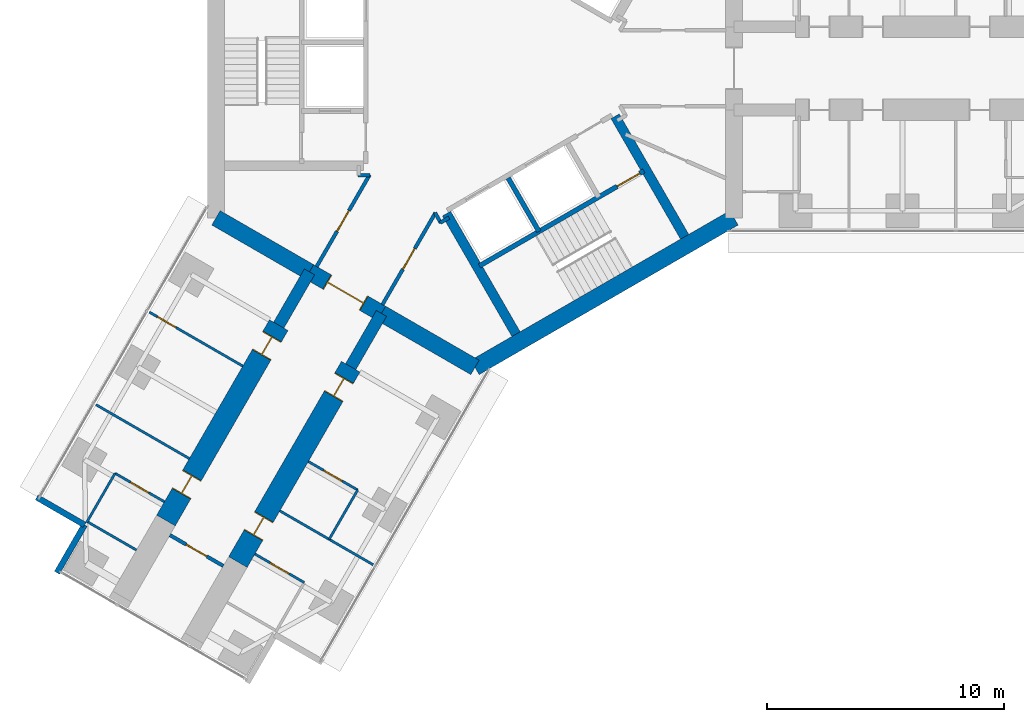
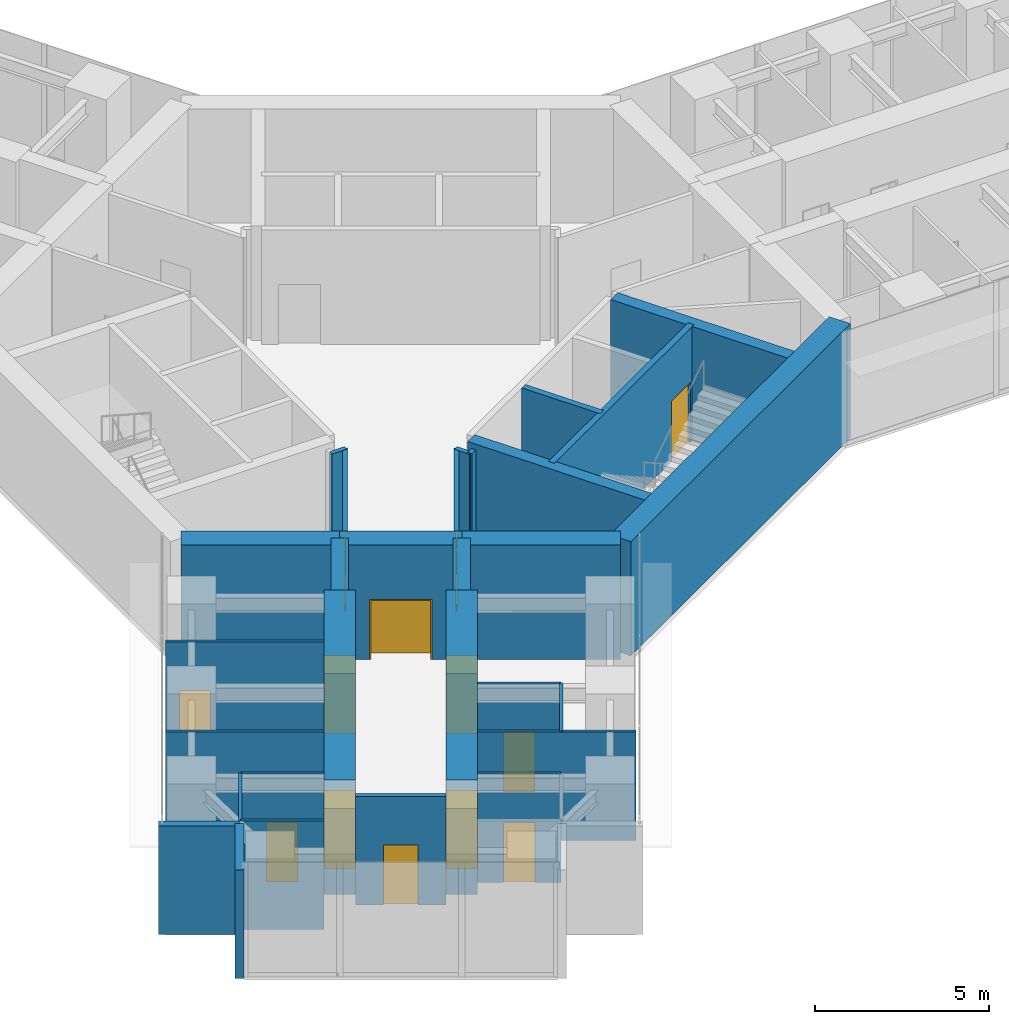
# One storey, part 16 of 25: 29 walls, 13 doors, 13 openings.
"""IFC4 building model written with IfcOpenShell, lengths in metres."""

from ifc_helpers import new_model, si_unit, direction, frame, frame_2d, origin, place, context, subcontext, project, spatial, rectangle, extrude, material, layer, layer_set, type_object, element, fill, save


model = new_model("IFC4")

# Units and contexts
model_context = context("Model", 3, precision=1e-05, world=origin(), true_north=direction((0.0, 1.0)))
body_context = subcontext(model_context, "Body", "Model", "MODEL_VIEW")
ifc_project = project(units=[si_unit("LENGTHUNIT", "METRE"), si_unit("AREAUNIT", "SQUARE_METRE"), si_unit("VOLUMEUNIT", "CUBIC_METRE"), si_unit("PLANEANGLEUNIT", "RADIAN"), si_unit("MASSUNIT", "GRAM", prefix="KILO")], contexts=[model_context])

# Site, building, storey
site_placement = place(None, origin())
site = spatial("IfcSite", under=ifc_project, at=site_placement, CompositionType="ELEMENT")
building_placement = place(site_placement, origin())
building = spatial("IfcBuilding", under=site, at=building_placement, Name="Upepo Twin Towers", CompositionType="ELEMENT")
storey_placement = place(building_placement, frame((0.0, 0.0, 72.5)))
storey = spatial("IfcBuildingStorey", under=building, at=storey_placement, Name="L17", CompositionType="ELEMENT", Elevation=72.5)

# Walls
ifc_material_1 = material(Name="Concrete C60/75", Category="concrete")
ifc_layer_1 = layer(ifc_material_1, 0.5)
ifc_layer_set_1 = layer_set([ifc_layer_1], Name="Concrete C60/75")
wall_type_1 = type_object("IfcWallType", Name="Buttress wall 500 RC", PredefinedType="SHEAR", material=ifc_layer_set_1)
for number, where, z_axis, x_axis, name in (
    (1, (-3.938720703125, -10.32177734375, 0.0), (0.0, 0.0, 1.0), (-0.499918158782, -0.866072649678, 0.0), "T1 wing C buttress wall L"),
    (2, (-6.9697265625, -8.57177734375, 0.0), (0.0, 0.0, 1.0), (-0.499988811324, -0.866031863473, 0.0), "T1 wing C buttress wall R"),
):
    element("IfcWall", number, at=place(storey_placement, frame(where, z_axis=z_axis, x_axis=x_axis)), inside=storey, type_object=wall_type_1, Name=name, PredefinedType="SHEAR", context=body_context, shape_type="SweptSolid", body=[
        extrude(rectangle(XDim=2.591796875, YDim=0.5, at=frame_2d((1.2958984375, 0.0))), origin(), (0.0, 0.0, 1.0), 4.0),
    ])

# Wall, openings, doors
ifc_material_2 = material(Name="Concrete C60/75", Category="concrete")
ifc_layer_2 = layer(ifc_material_2, 0.89990234375)
ifc_layer_set_2 = layer_set([ifc_layer_2], Name="Concrete C60/75")
wall_type_2 = type_object("IfcWallType", Name="Buttress wall 900 RC", PredefinedType="SHEAR", material=ifc_layer_set_2)
wall_1_placement = place(storey_placement, frame((-5.234375, -12.56640625, 0.0), z_axis=(0.0, 0.0, 1.0), x_axis=(-0.499997557548, -0.86602681393, 0.0)))
wall_1 = element("IfcWall", 3, at=wall_1_placement, inside=storey, type_object=wall_type_2, Name="T1 wing C buttress wall L part 2", PredefinedType="SHEAR", context=body_context, shape_type="SweptSolid", body=[
    extrude(rectangle(XDim=9.5, YDim=0.89990234375, at=frame_2d((4.75, 0.0))), origin(), (0.0, 0.0, 1.0), 4.0),
])
opening_1_placement = place(wall_1_placement, frame((0.550048828125, 0.0, 0.0)))
opening_1 = element("IfcOpeningElement", 4, at=opening_1_placement, cuts=wall_1, Name="Opening D14", PredefinedType="OPENING", context=body_context, shape_type="SweptSolid", body=[
    extrude(rectangle(XDim=0.89990234375, YDim=2.10009765625, at=frame_2d((0.449951171875, 1.050048828125))), frame((0.0, 0.4599609375, 0.0), z_axis=(0.0, -1.0, 0.0), x_axis=(1.0, 0.0, 0.0)), (0.0, 0.0, 1.0), 0.919921875),
])
opening_2_placement = place(wall_1_placement, frame((7.300048828125, 0.0, 0.0)))
opening_2 = element("IfcOpeningElement", 5, at=opening_2_placement, cuts=wall_1, Name="Opening D14", PredefinedType="OPENING", context=body_context, shape_type="SweptSolid", body=[
    extrude(rectangle(XDim=0.89990234375, YDim=2.10009765625, at=frame_2d((0.449951171875, 1.050048828125))), frame((0.0, 0.4599609375, 0.0), z_axis=(0.0, -1.0, 0.0), x_axis=(1.0, 0.0, 0.0)), (0.0, 0.0, 1.0), 0.919921875),
])
ifc_material_3 = material(Name="Timber doorset", Category="wood")
door_type_1 = type_object("IfcDoorType", Name="Office door 900 FD30", OperationType="SINGLE_SWING_LEFT", PredefinedType="DOOR", material=ifc_material_3)
door_1_placement = place(opening_1_placement, origin())
door_1 = element("IfcDoor", 6, at=door_1_placement, inside=storey, type_object=door_type_1, Name="T1 L17 open-plan staff office door", OperationType="SINGLE_SWING_LEFT", OverallHeight=2.10009765625, OverallWidth=0.89990234375, PredefinedType="DOOR", context=body_context, shape_type="SweptSolid", body=[
    extrude(rectangle(XDim=0.81990234375, YDim=2.06009765625, at=frame_2d((0.449951171875, 1.030029296875))), frame((0.0, 0.02490234375, 0.0), z_axis=(0.0, -1.0, 0.0), x_axis=(1.0, 0.0, 0.0)), (0.0, 0.0, 1.0), 0.050048828125),
    extrude(rectangle(XDim=0.04, YDim=2.10009765625, at=frame_2d((0.02001953125, 1.050048828125))), frame((0.0, 0.44970703125, 0.0), z_axis=(0.0, -1.0, 0.0), x_axis=(1.0, 0.0, 0.0)), (0.0, 0.0, 1.0), 0.8994140625),
    extrude(rectangle(XDim=0.04, YDim=2.10009765625, at=frame_2d((0.8798828125, 1.050048828125))), frame((0.0, 0.44970703125, 0.0), z_axis=(0.0, -1.0, 0.0), x_axis=(1.0, 0.0, 0.0)), (0.0, 0.0, 1.0), 0.8994140625),
    extrude(rectangle(XDim=0.81990234375, YDim=0.04, at=frame_2d((0.449951171875, 2.080078125))), frame((0.0, 0.44970703125, 0.0), z_axis=(0.0, -1.0, 0.0), x_axis=(1.0, 0.0, 0.0)), (0.0, 0.0, 1.0), 0.8994140625),
])
fill(opening_1, door_1)
door_2_placement = place(opening_2_placement, origin())
door_2 = element("IfcDoor", 7, at=door_2_placement, inside=storey, type_object=door_type_1, Name="T1 L17 meeting room door", OperationType="SINGLE_SWING_RIGHT", OverallHeight=2.10009765625, OverallWidth=0.89990234375, PredefinedType="DOOR", context=body_context, shape_type="SweptSolid", body=[
    extrude(rectangle(XDim=0.81990234375, YDim=2.06009765625, at=frame_2d((0.449951171875, 1.030029296875))), frame((0.0, 0.02490234375, 0.0), z_axis=(0.0, -1.0, 0.0), x_axis=(1.0, 0.0, 0.0)), (0.0, 0.0, 1.0), 0.050048828125),
    extrude(rectangle(XDim=0.04, YDim=2.10009765625, at=frame_2d((0.02001953125, 1.050048828125))), frame((0.0, 0.44970703125, 0.0), z_axis=(0.0, -1.0, 0.0), x_axis=(1.0, 0.0, 0.0)), (0.0, 0.0, 1.0), 0.8994140625),
    extrude(rectangle(XDim=0.04, YDim=2.10009765625, at=frame_2d((0.8798828125, 1.050048828125))), frame((0.0, 0.44970703125, 0.0), z_axis=(0.0, -1.0, 0.0), x_axis=(1.0, 0.0, 0.0)), (0.0, 0.0, 1.0), 0.8994140625),
    extrude(rectangle(XDim=0.81990234375, YDim=0.04, at=frame_2d((0.449951171875, 2.080078125))), frame((0.0, 0.44970703125, 0.0), z_axis=(0.0, -1.0, 0.0), x_axis=(1.0, 0.0, 0.0)), (0.0, 0.0, 1.0), 0.8994140625),
])
fill(opening_2, door_2)

wall_2_placement = place(storey_placement, frame((-8.265625, -10.81640625, 0.0), z_axis=(0.0, 0.0, 1.0), x_axis=(-0.499997557548, -0.86602681393, 0.0)))
wall_2 = element("IfcWall", 8, at=wall_2_placement, inside=storey, type_object=wall_type_2, Name="T1 wing C buttress wall R part 2", PredefinedType="SHEAR", context=body_context, shape_type="SweptSolid", body=[
    extrude(rectangle(XDim=9.5, YDim=0.89990234375, at=frame_2d((4.75, 0.0))), origin(), (0.0, 0.0, 1.0), 4.0),
])
opening_3_placement = place(wall_2_placement, frame((0.550048828125, 0.0, 0.0)))
opening_3 = element("IfcOpeningElement", 9, at=opening_3_placement, cuts=wall_2, Name="Opening D14", PredefinedType="OPENING", context=body_context, shape_type="SweptSolid", body=[
    extrude(rectangle(XDim=0.89990234375, YDim=2.10009765625, at=frame_2d((0.449951171875, 1.050048828125))), frame((0.0, 0.4599609375, 0.0), z_axis=(0.0, -1.0, 0.0), x_axis=(1.0, 0.0, 0.0)), (0.0, 0.0, 1.0), 0.919921875),
])
opening_4_placement = place(wall_2_placement, frame((7.300048828125, 0.0, 0.0)))
opening_4 = element("IfcOpeningElement", 10, at=opening_4_placement, cuts=wall_2, Name="Opening D14", PredefinedType="OPENING", context=body_context, shape_type="SweptSolid", body=[
    extrude(rectangle(XDim=0.89990234375, YDim=2.10009765625, at=frame_2d((0.449951171875, 1.050048828125))), frame((0.0, 0.4599609375, 0.0), z_axis=(0.0, -1.0, 0.0), x_axis=(1.0, 0.0, 0.0)), (0.0, 0.0, 1.0), 0.919921875),
])
door_3_placement = place(opening_3_placement, origin())
door_3 = element("IfcDoor", 11, at=door_3_placement, inside=storey, type_object=door_type_1, Name="T1 L17 staff office door", OperationType="SINGLE_SWING_LEFT", OverallHeight=2.10009765625, OverallWidth=0.89990234375, PredefinedType="DOOR", context=body_context, shape_type="SweptSolid", body=[
    extrude(rectangle(XDim=0.81990234375, YDim=2.06009765625, at=frame_2d((0.449951171875, 1.030029296875))), frame((0.0, 0.02490234375, 0.0), z_axis=(0.0, -1.0, 0.0), x_axis=(1.0, 0.0, 0.0)), (0.0, 0.0, 1.0), 0.050048828125),
    extrude(rectangle(XDim=0.04, YDim=2.10009765625, at=frame_2d((0.02001953125, 1.050048828125))), frame((0.0, 0.44970703125, 0.0), z_axis=(0.0, -1.0, 0.0), x_axis=(1.0, 0.0, 0.0)), (0.0, 0.0, 1.0), 0.8994140625),
    extrude(rectangle(XDim=0.04, YDim=2.10009765625, at=frame_2d((0.8798828125, 1.050048828125))), frame((0.0, 0.44970703125, 0.0), z_axis=(0.0, -1.0, 0.0), x_axis=(1.0, 0.0, 0.0)), (0.0, 0.0, 1.0), 0.8994140625),
    extrude(rectangle(XDim=0.81990234375, YDim=0.04, at=frame_2d((0.449951171875, 2.080078125))), frame((0.0, 0.44970703125, 0.0), z_axis=(0.0, -1.0, 0.0), x_axis=(1.0, 0.0, 0.0)), (0.0, 0.0, 1.0), 0.8994140625),
])
fill(opening_3, door_3)
door_4_placement = place(opening_4_placement, origin())
door_4 = element("IfcDoor", 12, at=door_4_placement, inside=storey, type_object=door_type_1, Name="T1 L17 postgraduate office door", OperationType="SINGLE_SWING_RIGHT", OverallHeight=2.10009765625, OverallWidth=0.89990234375, PredefinedType="DOOR", context=body_context, shape_type="SweptSolid", body=[
    extrude(rectangle(XDim=0.81990234375, YDim=2.06009765625, at=frame_2d((0.449951171875, 1.030029296875))), frame((0.0, 0.02490234375, 0.0), z_axis=(0.0, -1.0, 0.0), x_axis=(1.0, 0.0, 0.0)), (0.0, 0.0, 1.0), 0.050048828125),
    extrude(rectangle(XDim=0.04, YDim=2.10009765625, at=frame_2d((0.02001953125, 1.050048828125))), frame((0.0, 0.44970703125, 0.0), z_axis=(0.0, -1.0, 0.0), x_axis=(1.0, 0.0, 0.0)), (0.0, 0.0, 1.0), 0.8994140625),
    extrude(rectangle(XDim=0.04, YDim=2.10009765625, at=frame_2d((0.8798828125, 1.050048828125))), frame((0.0, 0.44970703125, 0.0), z_axis=(0.0, -1.0, 0.0), x_axis=(1.0, 0.0, 0.0)), (0.0, 0.0, 1.0), 0.8994140625),
    extrude(rectangle(XDim=0.81990234375, YDim=0.04, at=frame_2d((0.449951171875, 2.080078125))), frame((0.0, 0.44970703125, 0.0), z_axis=(0.0, -1.0, 0.0), x_axis=(1.0, 0.0, 0.0)), (0.0, 0.0, 1.0), 0.8994140625),
])
fill(opening_4, door_4)

# Wall
ifc_material_4 = material(Name="Concrete C60/75", Category="concrete")
ifc_layer_3 = layer(ifc_material_4, 0.699951171875)
ifc_layer_set_3 = layer_set([ifc_layer_3], Name="Concrete C60/75")
wall_type_3 = type_object("IfcWallType", Name="Core wall 700 RC", PredefinedType="SHEAR", material=ifc_layer_set_3)
wall_3_placement = place(storey_placement, frame((-10.908447265625, -6.2978515625, 0.0), z_axis=(0.0, 0.0, 1.0), x_axis=(0.866034513004, -0.499984222037, 0.0)))
element("IfcWall", 13, at=wall_3_placement, inside=storey, type_object=wall_type_3, Name="T1 core wall 240 R", PredefinedType="SHEAR", context=body_context, shape_type="SweptSolid", body=[
    extrude(rectangle(XDim=4.548095703125, YDim=0.699951171875, at=frame_2d((2.27392578125, 0.0))), origin(), (0.0, 0.0, 1.0), 4.0),
])

# Wall, opening, door
wall_4_placement = place(storey_placement, frame((-6.9697265625, -8.57177734375, 0.0), z_axis=(0.0, 0.0, 1.0), x_axis=(0.866019471182, -0.500010275428, 0.0)))
wall_4 = element("IfcWall", 14, at=wall_4_placement, inside=storey, type_object=wall_type_3, Name="T1 core wall 240", PredefinedType="SHEAR", context=body_context, shape_type="SweptSolid", body=[
    extrude(rectangle(XDim=3.5, YDim=0.699951171875, at=frame_2d((1.75, 0.0))), origin(), (0.0, 0.0, 1.0), 4.0),
])
opening_5_placement = place(wall_4_placement, frame((0.85009765625, 0.0, 0.0)))
opening_5 = element("IfcOpeningElement", 15, at=opening_5_placement, cuts=wall_4, Name="Opening D2", PredefinedType="OPENING", context=body_context, shape_type="SweptSolid", body=[
    extrude(rectangle(XDim=1.800048828125, YDim=2.10009765625, at=frame_2d((0.89990234375, 1.050048828125))), frame((0.0, 0.35986328125, 0.0), z_axis=(0.0, -1.0, 0.0), x_axis=(1.0, 0.0, 0.0)), (0.0, 0.0, 1.0), 0.719970703125),
])
ifc_material_5 = material(Name="Timber doorset", Category="wood")
door_type_2 = type_object("IfcDoorType", Name="Corridor double door 1800 FD60", OperationType="DOUBLE_DOOR_DOUBLE_SWING", PredefinedType="DOOR", material=ifc_material_5)
door_5_placement = place(opening_5_placement, origin())
door_5 = element("IfcDoor", 16, at=door_5_placement, inside=storey, type_object=door_type_2, Name="T1 L17 wing C corridor door", OperationType="DOUBLE_DOOR_DOUBLE_SWING", OverallHeight=2.10009765625, OverallWidth=1.800048828125, PredefinedType="DOOR", context=body_context, shape_type="SweptSolid", body=[
    extrude(rectangle(XDim=1.720048828125, YDim=2.06009765625, at=frame_2d((0.89990234375, 1.030029296875))), frame((0.0, 0.02490234375, 0.0), z_axis=(0.0, -1.0, 0.0), x_axis=(1.0, 0.0, 0.0)), (0.0, 0.0, 1.0), 0.050048828125),
    extrude(rectangle(XDim=0.04, YDim=2.10009765625, at=frame_2d((0.02001953125, 1.050048828125))), frame((0.0, 0.349609375, 0.0), z_axis=(0.0, -1.0, 0.0), x_axis=(1.0, 0.0, 0.0)), (0.0, 0.0, 1.0), 0.699462890625),
    extrude(rectangle(XDim=0.04, YDim=2.10009765625, at=frame_2d((1.780029296875, 1.050048828125))), frame((0.0, 0.349609375, 0.0), z_axis=(0.0, -1.0, 0.0), x_axis=(1.0, 0.0, 0.0)), (0.0, 0.0, 1.0), 0.699462890625),
    extrude(rectangle(XDim=1.720048828125, YDim=0.04, at=frame_2d((0.89990234375, 2.080078125))), frame((0.0, 0.349609375, 0.0), z_axis=(0.0, -1.0, 0.0), x_axis=(1.0, 0.0, 0.0)), (0.0, 0.0, 1.0), 0.699462890625),
])
fill(opening_5, door_5)

# Walls
wall_5_placement = place(storey_placement, frame((-3.938720703125, -10.32177734375, 0.0), z_axis=(0.0, 0.0, 1.0), x_axis=(0.866011268655, -0.500024481964, 0.0)))
element("IfcWall", 17, at=wall_5_placement, inside=storey, type_object=wall_type_3, Name="T1 core wall 240 L", PredefinedType="SHEAR", context=body_context, shape_type="SweptSolid", body=[
    extrude(rectangle(XDim=4.548095703125, YDim=0.699951171875, at=frame_2d((2.27392578125, 0.0))), origin(), (0.0, 0.0, 1.0), 4.0),
])
wall_6_placement = place(storey_placement, frame((0.0, -12.595947265625, 0.0), z_axis=(0.0, 0.0, 1.0), x_axis=(0.866021940709, 0.500005998175, 0.0)))
element("IfcWall", 18, at=wall_6_placement, inside=storey, type_object=wall_type_3, Name="T1 core wall 300", PredefinedType="SHEAR", context=body_context, shape_type="SweptSolid", body=[
    extrude(rectangle(XDim=12.595947265625, YDim=0.699951171875, at=frame_2d((6.2978515625, 0.0))), origin(), (0.0, 0.0, 1.0), 4.0),
])
ifc_material_6 = material(Name="Blockwork with anodised aluminium cladding", Category="masonry")
ifc_layer_4 = layer(ifc_material_6, 0.25)
ifc_layer_set_4 = layer_set([ifc_layer_4], Name="Notch cladding wall 250, pale metal")
wall_type_4 = type_object("IfcWallType", Name="Notch cladding wall 250, pale metal", PredefinedType="STANDARD", material=ifc_layer_set_4)
for number, where, z_axis, x_axis, name in (
    (19, (-18.456298828125, -18.0673828125, 0.0), (0.0, 0.0, 1.0), (0.865998469481, -0.500046648681, 0.0), "T1 L17 wing C notch wall R1"),
    (20, (-16.44287109375, -19.22998046875, 0.0), (0.0, 0.0, 1.0), (-0.500046648681, -0.865998469481, 0.0), "T1 L17 wing C notch wall R2"),
):
    element("IfcWall", number, at=place(storey_placement, frame(where, z_axis=z_axis, x_axis=x_axis)), inside=storey, type_object=wall_type_4, Name=name, PredefinedType="STANDARD", context=body_context, shape_type="SweptSolid", body=[
        extrude(rectangle(XDim=2.324951171875, YDim=0.25, at=frame_2d((1.16259765625, 0.0))), origin(), (0.0, 0.0, 1.0), 3.800048828125),
    ])
ifc_material_7 = material(Name="Gypsum board on steel studs", Category="steel")
ifc_layer_5 = layer(ifc_material_7, 0.10009765625)
ifc_layer_set_5 = layer_set([ifc_layer_5], Name="Office partition 100 stud")
wall_type_5 = type_object("IfcWallType", Name="Office partition 100 stud", PredefinedType="PARTITIONING", material=ifc_layer_set_5)
wall_7_placement = place(storey_placement, frame((-8.2197265625, -18.636962890625, 0.0), z_axis=(0.0, 0.0, 1.0), x_axis=(0.866012237902, -0.500022803284, 0.0)))
element("IfcWall", 21, at=wall_7_placement, inside=storey, type_object=wall_type_5, Name="T1 partition CL at 20.25", PredefinedType="PARTITIONING", context=body_context, shape_type="SweptSolid", body=[
    extrude(rectangle(XDim=4.550048828125, YDim=0.10009765625, at=frame_2d((2.27490234375, 0.0))), origin(), (0.0, 0.0, 1.0), 3.800048828125),
])
wall_8_placement = place(storey_placement, frame((-4.941162109375, -17.758544921875, 0.0), z_axis=(0.0, 0.0, 1.0), x_axis=(-0.500077600433, -0.865980596518, 0.0)))
element("IfcWall", 22, at=wall_8_placement, inside=storey, type_object=wall_type_5, Name="T1 inner room partition CL at 17.85", PredefinedType="PARTITIONING", context=body_context, shape_type="SweptSolid", body=[
    extrude(rectangle(XDim=2.39990234375, YDim=0.10009765625, at=frame_2d((1.199951171875, 0.0))), origin(), (0.0, 0.0, 1.0), 3.800048828125),
])

# Wall, opening, door
wall_9_placement = place(storey_placement, frame((-7.019775390625, -16.55859375, 0.0), z_axis=(0.0, 0.0, 1.0), x_axis=(0.866050077142, -0.499957262057, 0.0)))
wall_9 = element("IfcWall", 23, at=wall_9_placement, inside=storey, type_object=wall_type_5, Name="T1 inner room partition CL end at 17.85", PredefinedType="PARTITIONING", context=body_context, shape_type="SweptSolid", body=[
    extrude(rectangle(XDim=2.400146484375, YDim=0.10009765625, at=frame_2d((1.2001953125, 0.0))), origin(), (0.0, 0.0, 1.0), 3.800048828125),
])
opening_6_placement = place(wall_9_placement, frame((0.75, 0.0, 0.0)))
opening_6 = element("IfcOpeningElement", 24, at=opening_6_placement, cuts=wall_9, Name="Opening D14", PredefinedType="OPENING", context=body_context, shape_type="SweptSolid", body=[
    extrude(rectangle(XDim=0.89990234375, YDim=2.10009765625, at=frame_2d((0.449951171875, 1.050048828125))), frame((0.0, 0.06005859375, 0.0), z_axis=(0.0, -1.0, 0.0), x_axis=(1.0, 0.0, 0.0)), (0.0, 0.0, 1.0), 0.1201171875),
])
door_6_placement = place(opening_6_placement, origin())
door_6 = element("IfcDoor", 25, at=door_6_placement, inside=storey, type_object=door_type_1, Name="T1 L17 inner room door", OperationType="SINGLE_SWING_LEFT", OverallHeight=2.10009765625, OverallWidth=0.89990234375, PredefinedType="DOOR", context=body_context, shape_type="SweptSolid", body=[
    extrude(rectangle(XDim=0.89990234375, YDim=2.10009765625, at=frame_2d((0.449951171875, 1.050048828125))), frame((0.0, 0.02490234375, 0.0), z_axis=(0.0, -1.0, 0.0), x_axis=(1.0, 0.0, 0.0)), (0.0, 0.0, 1.0), 0.050048828125),
])
fill(opening_6, door_6)

wall_10_placement = place(storey_placement, frame((-9.269775390625, -20.45556640625, 0.0), z_axis=(0.0, 0.0, 1.0), x_axis=(0.866006032174, -0.500033551112, 0.0)))
wall_10 = element("IfcWall", 26, at=wall_10_placement, inside=storey, type_object=wall_type_5, Name="T1 inner room partition CL end at 22.35", PredefinedType="PARTITIONING", context=body_context, shape_type="SweptSolid", body=[
    extrude(rectangle(XDim=2.400146484375, YDim=0.10009765625, at=frame_2d((1.2001953125, 0.0))), origin(), (0.0, 0.0, 1.0), 3.800048828125),
])
opening_7_placement = place(wall_10_placement, frame((0.75, 0.0, 0.0)))
opening_7 = element("IfcOpeningElement", 27, at=opening_7_placement, cuts=wall_10, Name="Opening D14", PredefinedType="OPENING", context=body_context, shape_type="SweptSolid", body=[
    extrude(rectangle(XDim=0.89990234375, YDim=2.10009765625, at=frame_2d((0.449951171875, 1.050048828125))), frame((0.0, 0.06005859375, 0.0), z_axis=(0.0, -1.0, 0.0), x_axis=(1.0, 0.0, 0.0)), (0.0, 0.0, 1.0), 0.1201171875),
])
door_7_placement = place(opening_7_placement, origin())
door_7 = element("IfcDoor", 28, at=door_7_placement, inside=storey, type_object=door_type_1, Name="T1 L17 inner room door", OperationType="SINGLE_SWING_LEFT", OverallHeight=2.10009765625, OverallWidth=0.89990234375, PredefinedType="DOOR", context=body_context, shape_type="SweptSolid", body=[
    extrude(rectangle(XDim=0.89990234375, YDim=2.10009765625, at=frame_2d((0.449951171875, 1.050048828125))), frame((0.0, 0.02490234375, 0.0), z_axis=(0.0, -1.0, 0.0), x_axis=(1.0, 0.0, 0.0)), (0.0, 0.0, 1.0), 0.050048828125),
])
fill(opening_7, door_7)

wall_11_placement = place(storey_placement, frame((-9.7802734375, -12.539794921875, 0.0), z_axis=(0.0, 0.0, 1.0), x_axis=(-0.866035472144, 0.499982560684, 0.0)))
wall_11 = element("IfcWall", 29, at=wall_11_placement, inside=storey, type_object=wall_type_5, Name="T1 partition CR at 15.75", PredefinedType="PARTITIONING", context=body_context, shape_type="SweptSolid", body=[
    extrude(rectangle(XDim=4.550048828125, YDim=0.10009765625, at=frame_2d((2.27490234375, 0.0))), origin(), (0.0, 0.0, 1.0), 3.800048828125),
])
opening_8_placement = place(wall_11_placement, frame((3.25, 0.0, 0.0)))
opening_8 = element("IfcOpeningElement", 30, at=opening_8_placement, cuts=wall_11, Name="Opening D14", PredefinedType="OPENING", context=body_context, shape_type="SweptSolid", body=[
    extrude(rectangle(XDim=0.89990234375, YDim=2.10009765625, at=frame_2d((0.449951171875, 1.050048828125))), frame((0.0, 0.06005859375, 0.0), z_axis=(0.0, -1.0, 0.0), x_axis=(1.0, 0.0, 0.0)), (0.0, 0.0, 1.0), 0.1201171875),
])
door_8_placement = place(opening_8_placement, origin())
door_8 = element("IfcDoor", 31, at=door_8_placement, inside=storey, type_object=door_type_1, Name="T1 L17 connecting door", OperationType="SINGLE_SWING_RIGHT", OverallHeight=2.10009765625, OverallWidth=0.89990234375, PredefinedType="DOOR", context=body_context, shape_type="SweptSolid", body=[
    extrude(rectangle(XDim=0.89990234375, YDim=2.10009765625, at=frame_2d((0.449951171875, 1.050048828125))), frame((0.0, 0.02490234375, 0.0), z_axis=(0.0, -1.0, 0.0), x_axis=(1.0, 0.0, 0.0)), (0.0, 0.0, 1.0), 0.050048828125),
])
fill(opening_8, door_8)

# Walls
wall_12_placement = place(storey_placement, frame((-12.0302734375, -16.43701171875, 0.0), z_axis=(0.0, 0.0, 1.0), x_axis=(-0.866035472144, 0.499982560684, 0.0)))
element("IfcWall", 32, at=wall_12_placement, inside=storey, type_object=wall_type_5, Name="T1 partition CR at 20.25", PredefinedType="PARTITIONING", context=body_context, shape_type="SweptSolid", body=[
    extrude(rectangle(XDim=4.550048828125, YDim=0.10009765625, at=frame_2d((2.27490234375, 0.0))), origin(), (0.0, 0.0, 1.0), 3.800048828125),
])
wall_13_placement = place(storey_placement, frame((-15.15869140625, -17.0556640625, 0.0), z_axis=(0.0, 0.0, 1.0), x_axis=(-0.500001309137, -0.866024647952, 0.0)))
element("IfcWall", 33, at=wall_13_placement, inside=storey, type_object=wall_type_5, Name="T1 inner room partition CR at 22.35", PredefinedType="PARTITIONING", context=body_context, shape_type="SweptSolid", body=[
    extrude(rectangle(XDim=2.39990234375, YDim=0.10009765625, at=frame_2d((1.199951171875, 0.0))), origin(), (0.0, 0.0, 1.0), 3.800048828125),
])

# Wall, opening, door
wall_14_placement = place(storey_placement, frame((-13.080322265625, -18.255615234375, 0.0), z_axis=(0.0, 0.0, 1.0), x_axis=(-0.866024647952, 0.500001309137, 0.0)))
wall_14 = element("IfcWall", 34, at=wall_14_placement, inside=storey, type_object=wall_type_5, Name="T1 inner room partition CR end at 22.35", PredefinedType="PARTITIONING", context=body_context, shape_type="SweptSolid", body=[
    extrude(rectangle(XDim=2.39990234375, YDim=0.10009765625, at=frame_2d((1.199951171875, 0.0))), origin(), (0.0, 0.0, 1.0), 3.800048828125),
])
opening_9_placement = place(wall_14_placement, frame((0.75, 0.0, 0.0)))
opening_9 = element("IfcOpeningElement", 35, at=opening_9_placement, cuts=wall_14, Name="Opening D14", PredefinedType="OPENING", context=body_context, shape_type="SweptSolid", body=[
    extrude(rectangle(XDim=0.89990234375, YDim=2.10009765625, at=frame_2d((0.449951171875, 1.050048828125))), frame((0.0, 0.06005859375, 0.0), z_axis=(0.0, -1.0, 0.0), x_axis=(1.0, 0.0, 0.0)), (0.0, 0.0, 1.0), 0.1201171875),
])
door_9_placement = place(opening_9_placement, origin())
door_9 = element("IfcDoor", 36, at=door_9_placement, inside=storey, type_object=door_type_1, Name="T1 L17 inner room door", OperationType="SINGLE_SWING_LEFT", OverallHeight=2.10009765625, OverallWidth=0.89990234375, PredefinedType="DOOR", context=body_context, shape_type="SweptSolid", body=[
    extrude(rectangle(XDim=0.89990234375, YDim=2.10009765625, at=frame_2d((0.449951171875, 1.050048828125))), frame((0.0, 0.02490234375, 0.0), z_axis=(0.0, -1.0, 0.0), x_axis=(1.0, 0.0, 0.0)), (0.0, 0.0, 1.0), 0.050048828125),
])
fill(opening_9, door_9)

# Walls
wall_15_placement = place(storey_placement, frame((-14.25537109375, -20.290771484375, 0.0), z_axis=(0.0, 0.0, 1.0), x_axis=(-0.866024647952, 0.500001309137, 0.0)))
element("IfcWall", 37, at=wall_15_placement, inside=storey, type_object=wall_type_5, Name="T1 inner room partition CR end at 24.75", PredefinedType="PARTITIONING", context=body_context, shape_type="SweptSolid", body=[
    extrude(rectangle(XDim=2.39990234375, YDim=0.10009765625, at=frame_2d((1.199951171875, 0.0))), origin(), (0.0, 0.0, 1.0), 3.800048828125),
])
ifc_material_8 = material(Name="Concrete C40/50", Category="concrete")
ifc_layer_6 = layer(ifc_material_8, 0.199951171875)
ifc_layer_set_6 = layer_set([ifc_layer_6], Name="Concrete C40/50")
wall_type_6 = type_object("IfcWallType", Name="Shaft wall 200 RC", PredefinedType="SHEAR", material=ifc_layer_set_6)
wall_16_placement = place(storey_placement, frame((1.3974609375, -4.620361328125, 0.0), z_axis=(0.0, 0.0, 1.0), x_axis=(0.499936506574, -0.866062058628, 0.0)))
element("IfcWall", 38, at=wall_16_placement, inside=storey, type_object=wall_type_6, Name="T1 core W300 shaft divider", PredefinedType="SHEAR", context=body_context, shape_type="SweptSolid", body=[
    extrude(rectangle(XDim=2.599853515625, YDim=0.199951171875, at=frame_2d((1.2998046875, 0.0))), origin(), (0.0, 0.0, 1.0), 4.0),
])

# Wall, opening, door
wall_17_placement = place(storey_placement, frame((0.185791015625, -8.322021484375, 0.0), z_axis=(0.0, 0.0, 1.0), x_axis=(0.866026010844, 0.49999894854, 0.0)))
wall_17 = element("IfcWall", 39, at=wall_17_placement, inside=storey, type_object=wall_type_6, Name="T1 core W300 stair wall", PredefinedType="SHEAR", context=body_context, shape_type="SweptSolid", body=[
    extrude(rectangle(XDim=8.0, YDim=0.199951171875, at=frame_2d((4.0, 0.0))), origin(), (0.0, 0.0, 1.0), 4.0),
])
opening_10_placement = place(wall_17_placement, frame((6.699951171875, 0.0, 0.0)))
opening_10 = element("IfcOpeningElement", 40, at=opening_10_placement, cuts=wall_17, Name="Opening D3", PredefinedType="OPENING", context=body_context, shape_type="SweptSolid", body=[
    extrude(rectangle(XDim=1.10009765625, YDim=2.10009765625, at=frame_2d((0.550048828125, 1.050048828125))), frame((0.0, 0.10986328125, 0.0), z_axis=(0.0, -1.0, 0.0), x_axis=(1.0, 0.0, 0.0)), (0.0, 0.0, 1.0), 0.219970703125),
])
ifc_material_9 = material(Name="Timber doorset", Category="wood")
door_type_3 = type_object("IfcDoorType", Name="Stair door 1100 FD60", OperationType="SINGLE_SWING_LEFT", PredefinedType="DOOR", material=ifc_material_9)
door_10_placement = place(opening_10_placement, origin())
door_10 = element("IfcDoor", 41, at=door_10_placement, inside=storey, type_object=door_type_3, Name="T1 L17 stair door", OperationType="SINGLE_SWING_RIGHT", OverallHeight=2.10009765625, OverallWidth=1.10009765625, PredefinedType="DOOR", context=body_context, shape_type="SweptSolid", body=[
    extrude(rectangle(XDim=1.10009765625, YDim=2.10009765625, at=frame_2d((0.550048828125, 1.050048828125))), frame((0.0, 0.02490234375, 0.0), z_axis=(0.0, -1.0, 0.0), x_axis=(1.0, 0.0, 0.0)), (0.0, 0.0, 1.0), 0.050048828125),
])
fill(opening_10, door_10)

# Walls
ifc_material_10 = material(Name="Concrete C40/50", Category="concrete")
ifc_layer_7 = layer(ifc_material_10, 0.39990234375)
ifc_layer_set_7 = layer_set([ifc_layer_7], Name="Concrete C40/50")
wall_type_7 = type_object("IfcWallType", Name="Shaft wall 400 RC", PredefinedType="SHEAR", material=ifc_layer_set_7)
for number, where, z_axis, x_axis, name in (
    (42, (5.900634765625, -2.020263671875, 0.0), (0.0, 0.0, 1.0), (0.500002627198, -0.866023886965, 0.0), "T1 core W300 side wall N"),
    (43, (-1.20068359375, -6.120361328125, 0.0), (0.0, 0.0, 1.0), (0.500002627198, -0.866023886965, 0.0), "T1 core W300 side wall S"),
):
    element("IfcWall", number, at=place(storey_placement, frame(where, z_axis=z_axis, x_axis=x_axis)), inside=storey, type_object=wall_type_7, Name=name, PredefinedType="SHEAR", context=body_context, shape_type="SweptSolid", body=[
        extrude(rectangle(XDim=5.8583984375, YDim=0.39990234375, at=frame_2d((2.92919921875, 0.0))), origin(), (0.0, 0.0, 1.0), 4.0),
    ])
ifc_material_11 = material(Name="Gypsum board on steel studs", Category="steel")
ifc_layer_8 = layer(ifc_material_11, 0.14990234375)
ifc_layer_set_8 = layer_set([ifc_layer_8], Name="Teaching partition 150 acoustic")
wall_type_8 = type_object("IfcWallType", Name="Teaching partition 150 acoustic", PredefinedType="PARTITIONING", material=ifc_layer_set_8)
wall_18_placement = place(storey_placement, frame((-1.092041015625, -6.28857421875, 0.0), z_axis=(0.0, 0.0, 1.0), x_axis=(-0.866138304741, -0.499804398801, 0.0)))
element("IfcWall", 44, at=wall_18_placement, inside=storey, type_object=wall_type_8, Name="T1 core room partition 2", PredefinedType="PARTITIONING", context=body_context, shape_type="SweptSolid", body=[
    extrude(rectangle(XDim=0.429931640625, YDim=0.14990234375, at=frame_2d((0.21484375, 0.0))), origin(), (0.0, 0.0, 1.0), 3.800048828125),
])
wall_19_placement = place(storey_placement, frame((-1.43701171875, -6.5107421875, 0.0), z_axis=(0.0, 0.0, 1.0), x_axis=(-0.50033519877, 0.865831790172, 0.0)))
element("IfcWall", 45, at=wall_19_placement, inside=storey, type_object=wall_type_8, Name="T1 core room partition 3", PredefinedType="PARTITIONING", context=body_context, shape_type="SweptSolid", body=[
    extrude(rectangle(XDim=0.494384765625, YDim=0.14990234375, at=frame_2d((0.2470703125, 0.0))), origin(), (0.0, 0.0, 1.0), 3.800048828125),
])

# Wall, opening, door
wall_20_placement = place(storey_placement, frame((-1.664306640625, -6.082763671875, 0.0), z_axis=(0.0, 0.0, 1.0), x_axis=(-0.499999927604, -0.866025445582, 0.0)))
wall_20 = element("IfcWall", 46, at=wall_20_placement, inside=storey, type_object=wall_type_8, Name="T1 core room partition 4", PredefinedType="PARTITIONING", context=body_context, shape_type="SweptSolid", body=[
    extrude(rectangle(XDim=4.46826171875, YDim=0.14990234375, at=frame_2d((2.234130859375, 0.0))), origin(), (0.0, 0.0, 1.0), 3.800048828125),
])
opening_11_placement = place(wall_20_placement, frame((1.744384765625, 0.0, 0.0)))
opening_11 = element("IfcOpeningElement", 47, at=opening_11_placement, cuts=wall_20, Name="Opening D1", PredefinedType="OPENING", context=body_context, shape_type="SweptSolid", body=[
    extrude(rectangle(XDim=1.0, YDim=2.10009765625, at=frame_2d((0.5, 1.050048828125))), frame((0.0, 0.0849609375, 0.0), z_axis=(0.0, -1.0, 0.0), x_axis=(1.0, 0.0, 0.0)), (0.0, 0.0, 1.0), 0.169921875),
])
ifc_material_12 = material(Name="Timber doorset", Category="wood")
door_type_4 = type_object("IfcDoorType", Name="Room door 1000 FD30", OperationType="SINGLE_SWING_LEFT", PredefinedType="DOOR", material=ifc_material_12)
door_11_placement = place(opening_11_placement, origin())
door_11 = element("IfcDoor", 48, at=door_11_placement, inside=storey, type_object=door_type_4, Name="T1 L17 core room door K2", OperationType="SINGLE_SWING_RIGHT", OverallHeight=2.10009765625, OverallWidth=1.0, PredefinedType="DOOR", context=body_context, shape_type="SweptSolid", body=[
    extrude(rectangle(XDim=1.0, YDim=2.10009765625, at=frame_2d((0.5, 1.050048828125))), frame((0.0, 0.02490234375, 0.0), z_axis=(0.0, -1.0, 0.0), x_axis=(1.0, 0.0, 0.0)), (0.0, 0.0, 1.0), 0.050048828125),
])
fill(opening_11, door_11)

wall_21_placement = place(storey_placement, frame((-6.669921875, -8.3525390625, 0.0), z_axis=(0.0, 0.0, 1.0), x_axis=(0.500017246033, 0.866015446554, 0.0)))
wall_21 = element("IfcWall", 49, at=wall_21_placement, inside=storey, type_object=wall_type_8, Name="T1 core room partition 5", PredefinedType="PARTITIONING", context=body_context, shape_type="SweptSolid", body=[
    extrude(rectangle(XDim=4.468505859375, YDim=0.14990234375, at=frame_2d((2.234375, 0.0))), origin(), (0.0, 0.0, 1.0), 3.800048828125),
])
opening_12_placement = place(wall_21_placement, frame((1.72412109375, 0.0, 0.0)))
opening_12 = element("IfcOpeningElement", 50, at=opening_12_placement, cuts=wall_21, Name="Opening D1", PredefinedType="OPENING", context=body_context, shape_type="SweptSolid", body=[
    extrude(rectangle(XDim=1.0, YDim=2.10009765625, at=frame_2d((0.5, 1.050048828125))), frame((0.0, 0.0849609375, 0.0), z_axis=(0.0, -1.0, 0.0), x_axis=(1.0, 0.0, 0.0)), (0.0, 0.0, 1.0), 0.169921875),
])
door_12_placement = place(opening_12_placement, origin())
door_12 = element("IfcDoor", 51, at=door_12_placement, inside=storey, type_object=door_type_4, Name="T1 L17 core room door K1", OperationType="SINGLE_SWING_LEFT", OverallHeight=2.10009765625, OverallWidth=1.0, PredefinedType="DOOR", context=body_context, shape_type="SweptSolid", body=[
    extrude(rectangle(XDim=1.0, YDim=2.10009765625, at=frame_2d((0.5, 1.050048828125))), frame((0.0, 0.02490234375, 0.0), z_axis=(0.0, -1.0, 0.0), x_axis=(1.0, 0.0, 0.0)), (0.0, 0.0, 1.0), 0.050048828125),
])
fill(opening_12, door_12)

# Wall
wall_22_placement = place(storey_placement, frame((-4.425537109375, -4.5, 0.0), z_axis=(0.0, 0.0, 1.0), x_axis=(-1.0, 0.0, 0.0)))
element("IfcWall", 52, at=wall_22_placement, inside=storey, type_object=wall_type_8, Name="T1 core room partition 6", PredefinedType="PARTITIONING", context=body_context, shape_type="SweptSolid", body=[
    extrude(rectangle(XDim=0.494384765625, YDim=0.14990234375, at=frame_2d((0.2470703125, 0.0))), origin(), (0.0, 0.0, 1.0), 3.800048828125),
])

# Wall, opening, door
wall_23_placement = place(storey_placement, frame((-12.850830078125, -19.658203125, 0.0), z_axis=(0.0, 0.0, 1.0), x_axis=(0.866021400173, -0.500006934395, 0.0)))
wall_23 = element("IfcWall", 53, at=wall_23_placement, inside=storey, type_object=wall_type_8, Name="T1 corridor end partition C at 23.45", PredefinedType="PARTITIONING", context=body_context, shape_type="SweptSolid", body=[
    extrude(rectangle(XDim=2.60009765625, YDim=0.14990234375, at=frame_2d((1.300048828125, 0.0))), origin(), (0.0, 0.0, 1.0), 3.800048828125),
])
opening_13_placement = place(wall_23_placement, frame((0.800048828125, 0.0, 0.0)))
opening_13 = element("IfcOpeningElement", 54, at=opening_13_placement, cuts=wall_23, Name="Opening D1", PredefinedType="OPENING", context=body_context, shape_type="SweptSolid", body=[
    extrude(rectangle(XDim=1.0, YDim=2.10009765625, at=frame_2d((0.5, 1.050048828125))), frame((0.0, 0.0849609375, 0.0), z_axis=(0.0, -1.0, 0.0), x_axis=(1.0, 0.0, 0.0)), (0.0, 0.0, 1.0), 0.169921875),
])
door_13_placement = place(opening_13_placement, origin())
door_13 = element("IfcDoor", 55, at=door_13_placement, inside=storey, type_object=door_type_4, Name="T1 L17 breakout study room door", OperationType="SINGLE_SWING_LEFT", OverallHeight=2.10009765625, OverallWidth=1.0, PredefinedType="DOOR", context=body_context, shape_type="SweptSolid", body=[
    extrude(rectangle(XDim=1.0, YDim=2.10009765625, at=frame_2d((0.5, 1.050048828125))), frame((0.0, 0.02490234375, 0.0), z_axis=(0.0, -1.0, 0.0), x_axis=(1.0, 0.0, 0.0)), (0.0, 0.0, 1.0), 0.050048828125),
])
fill(opening_13, door_13)

save(model, "model.ifc")
